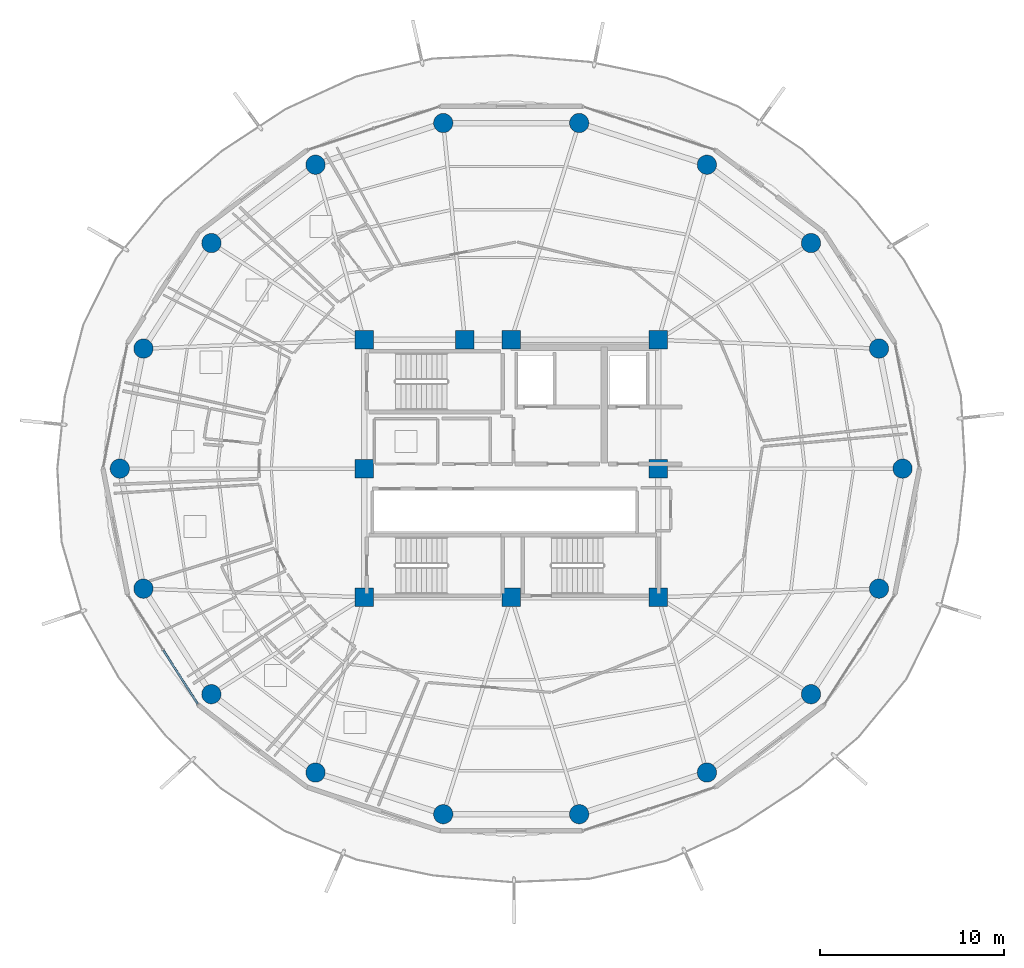
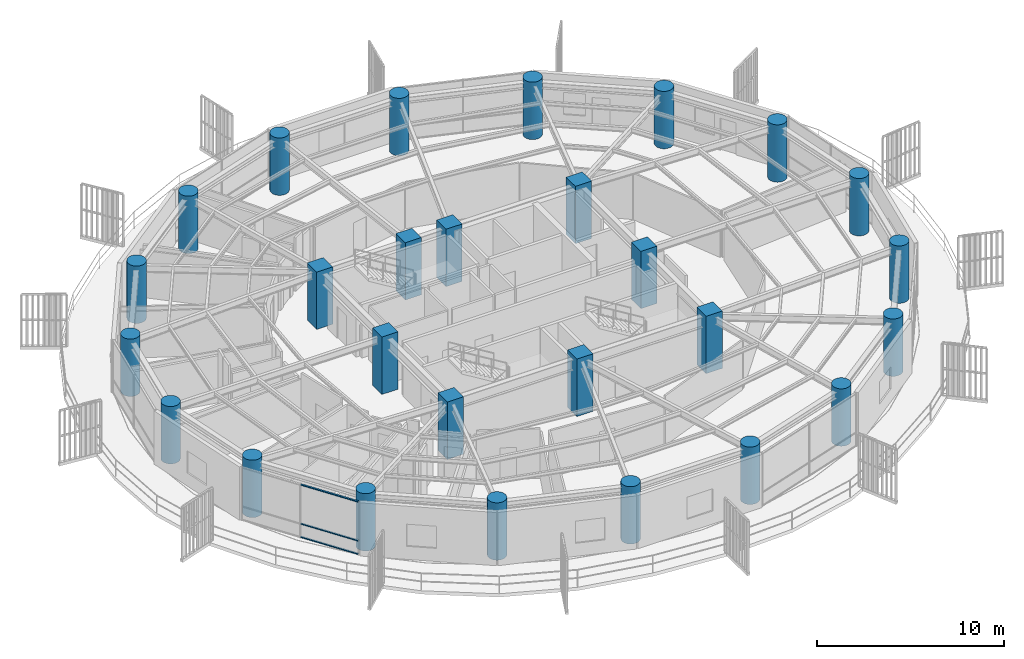
# One storey, part 1 of 31: 27 columns, 3 members, 1 element without a shape of its own.
"""IFC4 building model written with IfcOpenShell, lengths in metres."""

from ifc_helpers import new_model, si_unit, direction, frame, origin, origin_2d, place, context, subcontext, project, spatial, rectangle, hollow_rectangle, circle, extrude, material, layer, layer_set, material_profile, profile_set, type_object, element, aggregate, save


model = new_model("IFC4")

# Units and contexts
model_context = context("Model", 3, precision=1e-05, world=origin(), true_north=direction((0.0, 1.0)))
body_context = subcontext(model_context, "Body", "Model", "MODEL_VIEW")
ifc_project = project(units=[si_unit("LENGTHUNIT", "METRE"), si_unit("AREAUNIT", "SQUARE_METRE"), si_unit("VOLUMEUNIT", "CUBIC_METRE"), si_unit("PLANEANGLEUNIT", "RADIAN"), si_unit("MASSUNIT", "GRAM", prefix="KILO")], contexts=[model_context])

# Site, building, storey
site_placement = place(None, origin())
site = spatial("IfcSite", under=ifc_project, at=site_placement, CompositionType="ELEMENT")
building_placement = place(site_placement, origin())
building = spatial("IfcBuilding", under=site, at=building_placement, Name="Kelanora Arch Commons", CompositionType="ELEMENT")
storey_placement = place(building_placement, frame((0.0, 0.0, 230.699951171875)))
storey = spatial("IfcBuildingStorey", under=building, at=storey_placement, Name="L59", CompositionType="ELEMENT", Elevation=230.699951171875)

# Columns
ifc_material_1 = material(Name="Concrete C50/60", Category="concrete")
ifc_material_profile_1 = material_profile(ifc_material_1, circle(Radius=0.52490234375, at=origin_2d()), Name="RCC1050")
ifc_profile_set_1 = profile_set([ifc_material_profile_1], Name="Concrete C50/60")
column_type_1 = type_object("IfcColumnType", Name="COL-PERIM-Z4", PredefinedType="COLUMN", material=ifc_profile_set_1)
for number, where, z_axis, x_axis, name in (
    (1, (95.280029296875, 58.0, 0.0), (0.0, 0.0, 1.0), (1.0, 0.0, 0.0), "Perimeter Ring Column CP-00 L59"),
    (2, (93.99658203125, 64.525634765625, 0.0), (0.0, 0.0, 1.0), (1.0, 0.0, 0.0), "Perimeter Ring Column CP-02 L59"),
    (3, (90.301513671875, 70.264404296875, 0.0), (0.0, 0.0, 1.0), (1.0, 0.0, 0.0), "Perimeter Ring Column CP-04 L59"),
    (4, (84.639892578125, 74.523681640625, 0.0), (0.0, 0.0, 1.0), (1.0, 0.0, 0.0), "Perimeter Ring Column CP-06 L59"),
    (5, (77.6953125, 76.7900390625, 0.0), (0.0, 0.0, 1.0), (1.0, 0.0, 0.0), "Perimeter Ring Column CP-08 L59"),
    (6, (70.3046875, 76.7900390625, 0.0), (0.0, 0.0, 1.0), (1.0, 0.0, 0.0), "Perimeter Ring Column CP-10 L59"),
    (7, (63.360107421875, 74.523681640625, 0.0), (0.0, 0.0, 1.0), (1.0, 0.0, 0.0), "Perimeter Ring Column CP-12 L59"),
    (8, (57.698486328125, 70.264404296875, 0.0), (0.0, 0.0, 1.0), (1.0, 0.0, 0.0), "Perimeter Ring Column CP-14 L59"),
    (9, (54.00341796875, 64.525634765625, 0.0), (0.0, 0.0, 1.0), (1.0, 0.0, 0.0), "Perimeter Ring Column CP-16 L59"),
    (10, (52.719970703125, 58.0, 0.0), (0.0, 0.0, 1.0), (1.0, 0.0, 0.0), "Perimeter Ring Column CP-18 L59"),
    (11, (54.00341796875, 51.474365234375, 0.0), (0.0, 0.0, 1.0), (1.0, 0.0, 0.0), "Perimeter Ring Column CP-20 L59"),
    (12, (57.698486328125, 45.735595703125, 0.0), (0.0, 0.0, 1.0), (1.0, 0.0, 0.0), "Perimeter Ring Column CP-22 L59"),
    (13, (63.360107421875, 41.476318359375, 0.0), (0.0, 0.0, 1.0), (1.0, 0.0, 0.0), "Perimeter Ring Column CP-24 L59"),
    (14, (70.3046875, 39.2099609375, 0.0), (0.0, 0.0, 1.0), (1.0, 0.0, 0.0), "Perimeter Ring Column CP-26 L59"),
    (15, (77.6953125, 39.2099609375, 0.0), (0.0, 0.0, 1.0), (1.0, 0.0, 0.0), "Perimeter Ring Column CP-28 L59"),
    (16, (84.639892578125, 41.476318359375, 0.0), (0.0, 0.0, 1.0), (1.0, 0.0, 0.0), "Perimeter Ring Column CP-30 L59"),
    (17, (90.301513671875, 45.735595703125, 0.0), (0.0, 0.0, 1.0), (1.0, 0.0, 0.0), "Perimeter Ring Column CP-32 L59"),
    (18, (93.99658203125, 51.474365234375, 0.0), (0.0, 0.0, 1.0), (1.0, 0.0, 0.0), "Perimeter Ring Column CP-34 L59"),
):
    element("IfcColumn", number, at=place(storey_placement, frame(where, z_axis=z_axis, x_axis=x_axis)), inside=storey, type_object=column_type_1, Name=name, PredefinedType="COLUMN", context=body_context, shape_type="SweptSolid", body=[
        extrude(circle(Radius=0.52490234375, at=origin_2d()), origin(), (0.0, 0.0, 1.0), 3.75),
    ])
ifc_material_profile_2 = material_profile(ifc_material_1, rectangle(XDim=1.0, YDim=1.0, at=origin_2d()), Name="RC1000x1000")
ifc_profile_set_2 = profile_set([ifc_material_profile_2], Name="Concrete C50/60")
column_type_2 = type_object("IfcColumnType", Name="COL-PIL-HIGH", PredefinedType="PILASTER", material=ifc_profile_set_2)
for number, where, z_axis, x_axis, name in (
    (19, (66.0, 51.0, 0.0), (0.0, 0.0, 1.0), (1.0, 0.0, 0.0), "Core Pilaster Column CP1 L59"),
    (20, (74.0, 51.0, 0.0), (0.0, 0.0, 1.0), (1.0, 0.0, 0.0), "Core Pilaster Column CP2 L59"),
    (21, (82.0, 51.0, 0.0), (0.0, 0.0, 1.0), (1.0, 0.0, 0.0), "Core Pilaster Column CP3 L59"),
    (22, (82.0, 58.0, 0.0), (0.0, 0.0, 1.0), (1.0, 0.0, 0.0), "Core Pilaster Column CP4 L59"),
    (23, (82.0, 65.0, 0.0), (0.0, 0.0, 1.0), (1.0, 0.0, 0.0), "Core Pilaster Column CP5 L59"),
    (24, (74.0, 65.0, 0.0), (0.0, 0.0, 1.0), (1.0, 0.0, 0.0), "Core Pilaster Column CP6 L59"),
    (25, (71.47998046875, 65.0, 0.0), (0.0, 0.0, 1.0), (1.0, 0.0, 0.0), "Core Pilaster Column CP9 L59"),
    (26, (66.0, 65.0, 0.0), (0.0, 0.0, 1.0), (1.0, 0.0, 0.0), "Core Pilaster Column CP7 L59"),
    (27, (66.0, 58.0, 0.0), (0.0, 0.0, 1.0), (1.0, 0.0, 0.0), "Core Pilaster Column CP8 L59"),
):
    element("IfcColumn", number, at=place(storey_placement, frame(where, z_axis=z_axis, x_axis=x_axis)), inside=storey, type_object=column_type_2, Name=name, PredefinedType="PILASTER", context=body_context, shape_type="SweptSolid", body=[
        extrude(rectangle(XDim=1.0, YDim=1.0, at=origin_2d()), origin(), (0.0, 0.0, 1.0), 3.75),
    ])

# Curtain wall, members
ifc_material_2 = material(Name="Terracotta ceramic-fritted low-E glass and aluminium", Category="masonry")
ifc_layer = layer(ifc_material_2, 0.175048828125)
ifc_layer_set = layer_set([ifc_layer], Name="Terracotta ceramic-fritted low-E glass and aluminium")
curtain_wall_type = type_object("IfcCurtainWallType", Name="CW-SYS-02", PredefinedType="NOTDEFINED", material=ifc_layer_set)
curtain_wall_placement = place(storey_placement, origin())
curtain_wall = element("IfcCurtainWall", 28, at=curtain_wall_placement, inside=storey, type_object=curtain_wall_type, Name="Unitised Curtain Wall L59-B10", PredefinedType="NOTDEFINED")
ifc_material_3 = material(Name="Powder-coated aluminium terracotta", Category="masonry")
ifc_material_profile_3 = material_profile(ifc_material_3, hollow_rectangle(XDim=0.1201171875, YDim=0.06005859375, WallThickness=0.0048828125, InnerFilletRadius=0.0048828125, OuterFilletRadius=0.010009765625, at=origin_2d()), Name="CWT120x60")
ifc_profile_set_3 = profile_set([ifc_material_profile_3], Name="Powder-coated aluminium terracotta")
member_type = type_object("IfcMemberType", Name="CWT-STD", PredefinedType="USERDEFINED", material=ifc_profile_set_3)
member_1_placement = place(storey_placement, frame((55.08251953125, 48.126708984375, 0.030029296875), z_axis=(0.53954710894, -0.841955412854, 0.0), x_axis=(0.841955412854, 0.53954710894, 0.0)))
member_1 = element("IfcMember", 29, at=member_1_placement, type_object=member_type, Name="CW-02 transom 2.1", ObjectType="TRANSOM", PredefinedType="USERDEFINED", context=body_context, shape_type="SweptSolid", body=[
    extrude(hollow_rectangle(XDim=0.1201171875, YDim=0.06005859375, WallThickness=0.0048828125, InnerFilletRadius=0.0048828125, OuterFilletRadius=0.010009765625, at=origin_2d()), origin(), (0.0, 0.0, 1.0), 3.467529296875),
])
member_2_placement = place(storey_placement, frame((55.08251953125, 48.126708984375, 0.900146484375), z_axis=(0.53954710894, -0.841955412854, 0.0), x_axis=(0.841955412854, 0.53954710894, 0.0)))
member_2 = element("IfcMember", 30, at=member_2_placement, type_object=member_type, Name="CW-02 transom 2.2", ObjectType="TRANSOM", PredefinedType="USERDEFINED", context=body_context, shape_type="SweptSolid", body=[
    extrude(hollow_rectangle(XDim=0.1201171875, YDim=0.06005859375, WallThickness=0.0048828125, InnerFilletRadius=0.0048828125, OuterFilletRadius=0.010009765625, at=origin_2d()), origin(), (0.0, 0.0, 1.0), 3.467529296875),
])
member_3_placement = place(storey_placement, frame((55.08251953125, 48.126708984375, 3.445068359375), z_axis=(0.53954710894, -0.841955412854, 0.0), x_axis=(0.841955412854, 0.53954710894, 0.0)))
member_3 = element("IfcMember", 31, at=member_3_placement, type_object=member_type, Name="CW-02 transom 2.3", ObjectType="TRANSOM", PredefinedType="USERDEFINED", context=body_context, shape_type="SweptSolid", body=[
    extrude(hollow_rectangle(XDim=0.1201171875, YDim=0.06005859375, WallThickness=0.0048828125, InnerFilletRadius=0.0048828125, OuterFilletRadius=0.010009765625, at=origin_2d()), origin(), (0.0, 0.0, 1.0), 3.467529296875),
])
aggregate(curtain_wall, [member_1, member_2, member_3])

save(model, "model.ifc")
